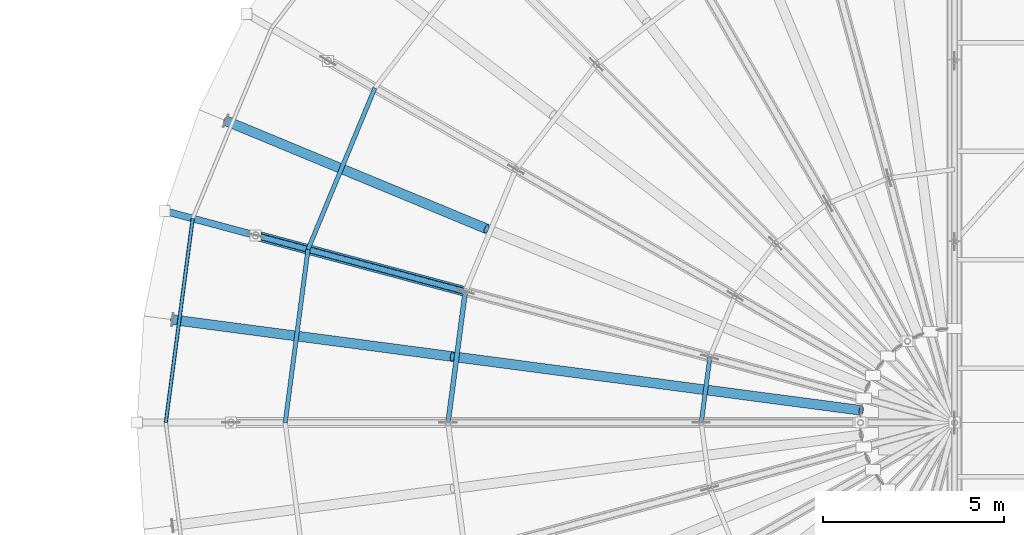
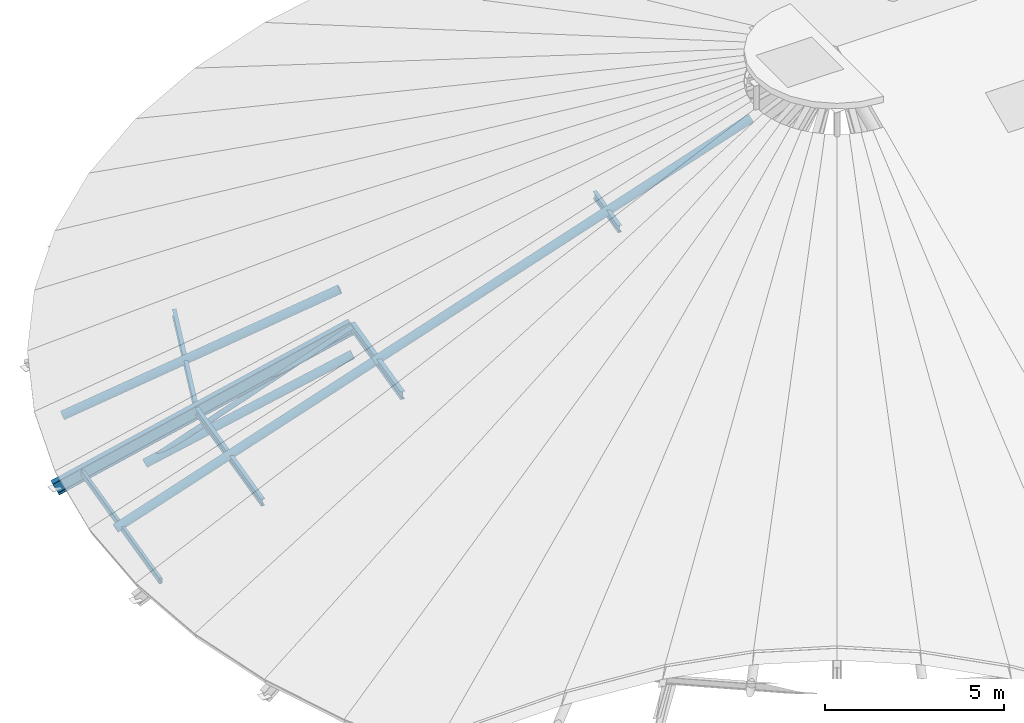
# One storey, part 5 of 107: 11 members.
"""IFC4 building model written with IfcOpenShell, lengths in metres."""

from ifc_helpers import new_model, si_unit, derived_unit, direction, frame, origin, origin_2d, place, context, subcontext, project, spatial, hollow_rectangle, hollow_circle, i_section, extrude, material, material_profile, profile_set, type_object, element, save


model = new_model("IFC4")

# Units and contexts
model_context = context("Model", 3, precision=1e-05, world=origin(), true_north=direction((0.0, 1.0)))
body_context = subcontext(model_context, "Body", "Model", "MODEL_VIEW")
ifc_project = project(units=[si_unit("LENGTHUNIT", "METRE"), si_unit("AREAUNIT", "SQUARE_METRE"), si_unit("VOLUMEUNIT", "CUBIC_METRE"), si_unit("PLANEANGLEUNIT", "RADIAN"), si_unit("MASSUNIT", "GRAM", prefix="KILO"), si_unit("THERMODYNAMICTEMPERATUREUNIT", "KELVIN"), si_unit("TIMEUNIT", "SECOND"), derived_unit("THERMALTRANSMITTANCEUNIT", [(si_unit("MASSUNIT", "GRAM", prefix="KILO"), 1), (si_unit("THERMODYNAMICTEMPERATUREUNIT", "KELVIN"), -1), (si_unit("TIMEUNIT", "SECOND"), -3)])], contexts=[model_context])

# Site, building, storey
site_placement = place(None, origin())
site = spatial("IfcSite", under=ifc_project, at=site_placement, CompositionType="ELEMENT")
building_placement = place(site_placement, origin())
building = spatial("IfcBuilding", under=site, at=building_placement, Name="Cambertide Market Hall", CompositionType="ELEMENT")
storey_placement = place(building_placement, frame((0.0, 0.0, 18.300048828125)))
storey = spatial("IfcBuildingStorey", under=building, at=storey_placement, Name="RF", CompositionType="ELEMENT", Elevation=18.300048828125)

# Members
ifc_material_1 = material(Name="Steel S355", Category="steel")
ifc_material_profile_1 = material_profile(ifc_material_1, hollow_circle(Radius=0.136474609375, WallThickness=0.010009765625, at=origin_2d()), Name="CHS 273x10")
ifc_profile_set_1 = profile_set([ifc_material_profile_1], Name="Steel S355")
member_type_1 = type_object("IfcMemberType", Name="Arched Truss Chord CHS 273x10", PredefinedType="CHORD", material=ifc_profile_set_1)
member_1_placement = place(storey_placement, frame((28.47705078125, 75.62353515625, -7.756103515625), z_axis=(-0.885001969521, 0.23710402823, -0.400690895506), x_axis=(-0.258786931944, -0.965934430412, 0.0)))
element("IfcMember", 1, at=member_1_placement, inside=storey, type_object=member_type_1, Name="Half-Cone Radial Arch Chord W-10-3", PredefinedType="CHORD", context=body_context, shape_type="SweptSolid", body=[
    extrude(hollow_circle(Radius=0.136474609375, WallThickness=0.010009765625, at=origin_2d()), origin(), (0.0, 0.0, 1.0), 6.548828125),
])
ifc_material_2 = material(Name="Steel S355", Category="steel")
ifc_material_profile_2 = material_profile(ifc_material_2, hollow_circle(Radius=0.136474609375, WallThickness=0.010009765625, at=origin_2d()), Name="CHS 273x10")
ifc_profile_set_2 = profile_set([ifc_material_profile_2], Name="Steel S355")
member_type_2 = type_object("IfcMemberType", Name="Exterior Radial Fan Rafter CHS 273x10", PredefinedType="RAFTER", material=ifc_profile_set_2)
for number, where, z_axis, x_axis, name in (
    (2, (29.065673828125, 77.357666015625, -6.7900390625), (-0.839343821258, 0.347657877112, -0.417894663997), (-0.382674302852, -0.923883314027, 0.0), "RAF-W-09-B"),
    (3, (28.119873046875, 73.827392578125, -6.7900390625), (-0.900726282096, 0.118576480501, -0.417889678043), (-0.130519284757, -0.991445770734, 0.0), "RAF-W-11-B"),
):
    element("IfcMember", number, at=place(storey_placement, frame(where, z_axis=z_axis, x_axis=x_axis)), inside=storey, type_object=member_type_2, Name=name, PredefinedType="RAFTER", context=body_context, shape_type="SweptSolid", body=[
        extrude(hollow_circle(Radius=0.136474609375, WallThickness=0.010009765625, at=origin_2d()), origin(), (0.0, 0.0, 1.0), 8.585693359375),
    ])
ifc_material_3 = material(Name="Steel S355", Category="steel")
ifc_material_profile_3 = material_profile(ifc_material_3, i_section(OverallWidth=0.18994140625, OverallDepth=0.449951171875, WebThickness=0.009521484375, FlangeThickness=0.0146484375, FilletRadius=0.02099609375, at=origin_2d()), Name="IPE 450")
ifc_profile_set_3 = profile_set([ifc_material_profile_3], Name="Steel S355")
member_type_3 = type_object("IfcMemberType", Name="Exterior Radial Fan Rafter IPE 450", PredefinedType="RAFTER", material=ifc_profile_set_3)
member_2_placement = place(storey_placement, frame((28.47705078125, 75.62353515625, -6.7900390625), z_axis=(-0.877530692762, 0.235134381364, -0.417913514931), x_axis=(-0.258819806009, -0.965925622404, 0.0)))
element("IfcMember", 4, at=member_2_placement, inside=storey, type_object=member_type_3, Name="Half-Cone Radial Truss Rafter W-10-3", PredefinedType="RAFTER", context=body_context, shape_type="SweptSolid", body=[
    extrude(i_section(OverallWidth=0.18994140625, OverallDepth=0.449951171875, WebThickness=0.009521484375, FlangeThickness=0.0146484375, FilletRadius=0.02099609375, at=origin_2d()), origin(), (0.0, 0.0, 1.0), 9.46630859375),
])
ifc_material_4 = material(Name="Steel S275", Category="steel")
ifc_material_profile_4 = material_profile(ifc_material_4, hollow_rectangle(XDim=0.10009765625, YDim=0.199951171875, WallThickness=0.00634765625, InnerFilletRadius=0.00634765625, OuterFilletRadius=0.0126953125, at=origin_2d()), Name="RHS 200x100x6.3")
ifc_profile_set_4 = profile_set([ifc_material_profile_4], Name="Steel S275")
member_type_4 = type_object("IfcMemberType", Name="Exterior Roof Purlin RHS 200x100x6.3", PredefinedType="PURLIN", material=ifc_profile_set_4)
member_3_placement = place(storey_placement, frame((20.94287109375, 77.642333984375, -10.3779296875), z_axis=(-0.130542179395, -0.991442756491, 0.0), x_axis=(0.991442756491, -0.130542179395, 0.0)))
element("IfcMember", 5, at=member_3_placement, inside=storey, type_object=member_type_4, Name="CPUR-W-218-06", PredefinedType="PURLIN", context=body_context, shape_type="SweptSolid", body=[
    extrude(hollow_rectangle(XDim=0.10009765625, YDim=0.199951171875, WallThickness=0.00634765625, InnerFilletRadius=0.00634765625, OuterFilletRadius=0.0126953125, at=origin_2d()), origin(), (0.0, 0.0, 1.0), 5.69091796875),
])
ifc_material_5 = material(Name="Steel S355", Category="steel")
ifc_material_profile_5 = material_profile(ifc_material_5, hollow_circle(Radius=0.136474609375, WallThickness=0.010009765625, at=origin_2d()), Name="CHS 273x10")
ifc_profile_set_5 = profile_set([ifc_material_profile_5], Name="Steel S355")
member_type_5 = type_object("IfcMemberType", Name="Radial Fan Rafter CHS 273x10", PredefinedType="RAFTER", material=ifc_profile_set_5)
member_4_placement = place(storey_placement, frame((39.42236328125, 72.33935546875, -1.546142578125), z_axis=(-0.900721251164, 0.11858507454, -0.417898083027), x_axis=(-0.130529299847, -0.991444452242, 0.0)))
element("IfcMember", 6, at=member_4_placement, inside=storey, type_object=member_type_5, Name="RAF-W-11-A", PredefinedType="RAFTER", context=body_context, shape_type="SweptSolid", body=[
    extrude(hollow_circle(Radius=0.136474609375, WallThickness=0.010009765625, at=origin_2d()), origin(), (0.0, 0.0, 1.0), 12.54833984375),
])
ifc_material_6 = material(Name="Steel S275", Category="steel")
ifc_material_profile_6 = material_profile(ifc_material_6, i_section(OverallWidth=0.1201171875, OverallDepth=0.239990234375, WebThickness=0.006103515625, FlangeThickness=0.009765625, FilletRadius=0.014892578125, at=origin_2d()), Name="IPE 240")
ifc_profile_set_6 = profile_set([ifc_material_profile_6], Name="Steel S275")
member_type_6 = type_object("IfcMemberType", Name="Roof Purlin IPE 240", PredefinedType="PURLIN", material=ifc_profile_set_6)
member_5_placement = place(storey_placement, frame((35.238525390625, 73.811767578125, -3.570068359375), z_axis=(-0.130527087244, -0.991444743541, 0.0), x_axis=(0.991444743541, -0.130527087244, 0.0)))
element("IfcMember", 7, at=member_5_placement, inside=storey, type_object=member_type_6, Name="CPUR-W-70-06", PredefinedType="PURLIN", context=body_context, shape_type="SweptSolid", body=[
    extrude(i_section(OverallWidth=0.1201171875, OverallDepth=0.239990234375, WebThickness=0.006103515625, FlangeThickness=0.009765625, FilletRadius=0.014892578125, at=origin_2d()), origin(), (0.0, 0.0, 1.0), 1.827392578125),
])
member_6_placement = place(storey_placement, frame((25.978515625, 81.25, -8.860107421875), z_axis=(-0.382676223699, -0.923882518405, 0.0), x_axis=(0.923882518405, -0.382676223699, 0.0)))
element("IfcMember", 8, at=member_6_placement, inside=storey, type_object=member_type_6, Name="CPUR-W-185-05", PredefinedType="PURLIN", context=body_context, shape_type="SweptSolid", body=[
    extrude(i_section(OverallWidth=0.1201171875, OverallDepth=0.239990234375, WebThickness=0.006103515625, FlangeThickness=0.009765625, FilletRadius=0.014892578125, at=origin_2d()), origin(), (0.0, 0.0, 1.0), 4.82958984375),
])
member_7_placement = place(storey_placement, frame((24.13037109375, 76.7880859375, -8.860107421875), z_axis=(-0.130527743461, -0.991444657148, 0.0), x_axis=(0.991444657148, -0.130527743461, 0.0)))
element("IfcMember", 9, at=member_7_placement, inside=storey, type_object=member_type_6, Name="CPUR-W-185-06", PredefinedType="PURLIN", context=body_context, shape_type="SweptSolid", body=[
    extrude(i_section(OverallWidth=0.1201171875, OverallDepth=0.239990234375, WebThickness=0.006103515625, FlangeThickness=0.009765625, FilletRadius=0.014892578125, at=origin_2d()), origin(), (0.0, 0.0, 1.0), 4.829345703125),
])
ifc_material_7 = material(Name="Steel S275", Category="steel")
ifc_material_profile_7 = material_profile(ifc_material_7, i_section(OverallWidth=0.135009765625, OverallDepth=0.27001953125, WebThickness=0.006591796875, FlangeThickness=0.01025390625, FilletRadius=0.014892578125, at=origin_2d()), Name="IPE 270")
ifc_profile_set_7 = profile_set([ifc_material_profile_7], Name="Steel S275")
member_type_7 = type_object("IfcMemberType", Name="Roof Purlin IPE 270", PredefinedType="PURLIN", material=ifc_profile_set_7)
member_8_placement = place(storey_placement, frame((28.47705078125, 75.62353515625, -6.7900390625), z_axis=(-0.130527087244, -0.991444743541, 0.0), x_axis=(0.991444743541, -0.130527087244, 0.0)))
element("IfcMember", 10, at=member_8_placement, inside=storey, type_object=member_type_7, Name="CPUR-W-140-06", PredefinedType="PURLIN", context=body_context, shape_type="SweptSolid", body=[
    extrude(i_section(OverallWidth=0.135009765625, OverallDepth=0.27001953125, WebThickness=0.006591796875, FlangeThickness=0.01025390625, FilletRadius=0.014892578125, at=origin_2d()), origin(), (0.0, 0.0, 1.0), 3.65478515625),
])
ifc_material_8 = material(Name="Steel S355", Category="steel")
ifc_material_profile_8 = material_profile(ifc_material_8, hollow_circle(Radius=0.084228515625, WallThickness=0.00634765625, at=origin_2d()), Name="CHS 168.3x6.3")
ifc_profile_set_8 = profile_set([ifc_material_profile_8], Name="Steel S355")
member_type_8 = type_object("IfcMemberType", Name="Structural Brace CHS 168.3x6.3", PredefinedType="BRACE", material=ifc_profile_set_8)
member_9_placement = place(storey_placement, frame((22.681396484375, 77.17626953125, -10.380126953125), z_axis=(0.828887245737, -0.222070132815, 0.513449890415), x_axis=(0.258786931944, 0.965934430412, 0.0)))
element("IfcMember", 11, at=member_9_placement, inside=storey, type_object=member_type_8, Name="RWB-W-10-D3", PredefinedType="BRACE", context=body_context, shape_type="SweptSolid", body=[
    extrude(hollow_circle(Radius=0.084228515625, WallThickness=0.00634765625, at=origin_2d()), origin(), (0.0, 0.0, 1.0), 6.9921875),
])

save(model, "model.ifc")
